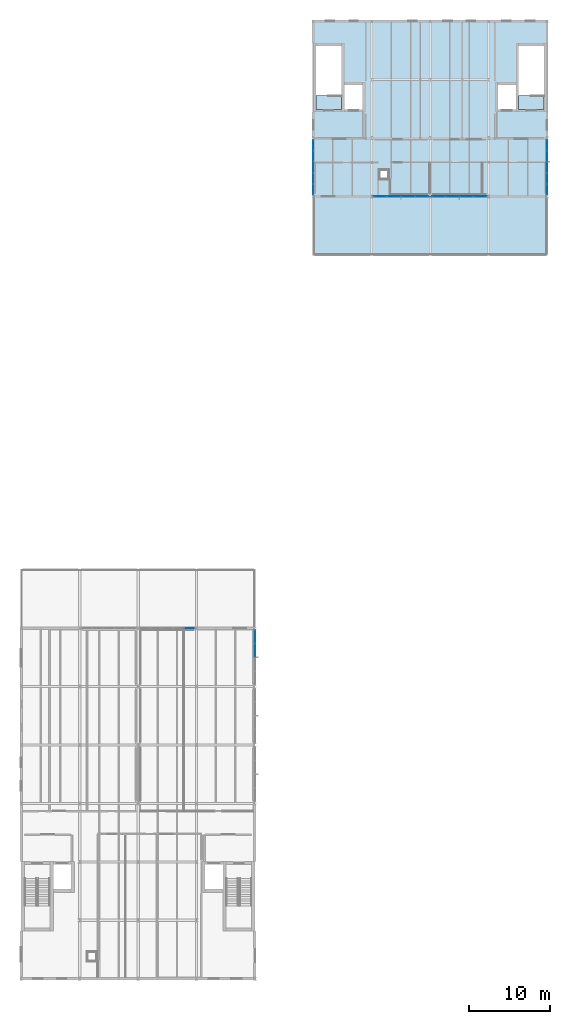
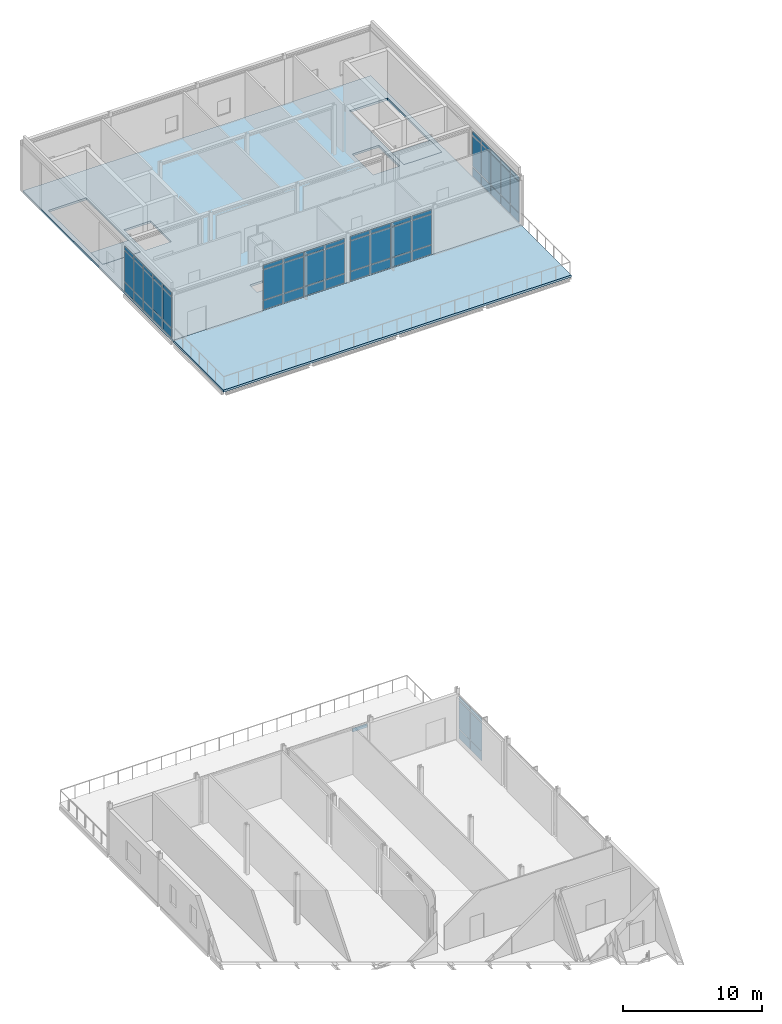
# One storey, part 12 of 21: 61 plates, 4 slabs, 6 elements without a shape of their own.
"""IFC4 building model written with IfcOpenShell, lengths in metres."""

from ifc_helpers import new_model, si_unit, direction, frame, origin, origin_2d, place, context, subcontext, project, spatial, polyline, rectangle, outline, extrude, material, layer, layer_set, type_object, element, aggregate, save


model = new_model("IFC4")

# Units and contexts
model_context = context("Model", 3, precision=1e-05, world=origin(), true_north=direction((0.0, 1.0)))
body_context = subcontext(model_context, "Body", "Model", "MODEL_VIEW")
ifc_project = project(units=[si_unit("LENGTHUNIT", "METRE"), si_unit("AREAUNIT", "SQUARE_METRE"), si_unit("VOLUMEUNIT", "CUBIC_METRE"), si_unit("PLANEANGLEUNIT", "RADIAN"), si_unit("MASSUNIT", "GRAM", prefix="KILO")], contexts=[model_context])

# Site, building, storey
site_placement = place(None, origin())
site = spatial("IfcSite", under=ifc_project, at=site_placement, CompositionType="ELEMENT")
building_placement = place(site_placement, origin())
building = spatial("IfcBuilding", under=site, at=building_placement, Name="Zarrinpeak Specialist Clinic", CompositionType="ELEMENT")
storey_placement = place(building_placement, frame((0.0, 0.0, 22.800048828125)))
storey = spatial("IfcBuildingStorey", under=building, at=storey_placement, Name="L05", CompositionType="ELEMENT", Elevation=22.800048828125)

# Curtain wall, plate
ifc_material_1 = material(Name="Anodised Aluminium Alloy 6063-T6", Category="aluminium")
ifc_layer_1 = layer(ifc_material_1, 0.1650390625)
ifc_layer_set_1 = layer_set([ifc_layer_1], Name="Anodised Aluminium Alloy 6063-T6")
curtain_wall_type_1 = type_object("IfcCurtainWallType", Name="CW-CLINIC", PredefinedType="NOTDEFINED", material=ifc_layer_set_1)
curtain_wall_1_placement = place(storey_placement, origin())
curtain_wall_1 = element("IfcCurtainWall", 1, at=curtain_wall_1_placement, inside=storey, type_object=curtain_wall_type_1, Name="L05 V1 Unitised Curtain Wall CW-L05-V1-032", PredefinedType="NOTDEFINED")
ifc_material_2 = material(Name="Double Low-E Insulated Glazing", Category="glass")
ifc_layer_2 = layer(ifc_material_2, 0.028076171875)
ifc_layer_set_2 = layer_set([ifc_layer_2], Name="Double Low-E Insulated Glazing")
plate_type_1 = type_object("IfcPlateType", Name="CWP-GLZ28", PredefinedType="CURTAIN_PANEL", material=ifc_layer_set_2)
plate_1_placement = place(storey_placement, frame((20.729248046875, 43.199951171875, 3.50244140625), z_axis=(0.0, 0.0, 1.0), x_axis=(-1.0, 0.0, 0.0)))
plate_1 = element("IfcPlate", 2, at=plate_1_placement, type_object=plate_type_1, Name="CW-03 panel 1.3", PredefinedType="CURTAIN_PANEL", context=body_context, shape_type="SweptSolid", body=[
    extrude(rectangle(XDim=1.261474609375, YDim=0.028076171875, at=origin_2d()), origin(), (0.0, 0.0, 1.0), 0.33740234375),
])
aggregate(curtain_wall_1, [plate_1])

# Curtain wall, plates
ifc_layer_3 = layer(ifc_material_1, 0.179931640625)
ifc_layer_set_3 = layer_set([ifc_layer_3], Name="Anodised Aluminium Alloy 6063-T6")
curtain_wall_type_2 = type_object("IfcCurtainWallType", Name="CW-COURT", PredefinedType="NOTDEFINED", material=ifc_layer_set_3)
curtain_wall_2_placement = place(storey_placement, origin())
curtain_wall_2 = element("IfcCurtainWall", 3, at=curtain_wall_2_placement, inside=storey, type_object=curtain_wall_type_2, Name="L05 V1 Unitised Curtain Wall CW-L05-V1-035", PredefinedType="NOTDEFINED")
plate_2_placement = place(storey_placement, frame((28.800048828125, 40.46630859375, 0.074951171875), z_axis=(0.0, 0.0, 1.0), x_axis=(0.0, 1.0, 0.0)))
plate_2 = element("IfcPlate", 4, at=plate_2_placement, type_object=plate_type_1, Name="CW-01 panel 3.1", PredefinedType="CURTAIN_PANEL", context=body_context, shape_type="SweptSolid", body=[
    extrude(rectangle(XDim=1.637451171875, YDim=0.028076171875, at=origin_2d()), origin(), (0.0, 0.0, 1.0), 0.78759765625),
])
plate_3_placement = place(storey_placement, frame((28.800048828125, 40.46630859375, 0.9375), z_axis=(0.0, 0.0, 1.0), x_axis=(0.0, 1.0, 0.0)))
plate_3 = element("IfcPlate", 5, at=plate_3_placement, type_object=plate_type_1, Name="CW-01 panel 3.2", PredefinedType="CURTAIN_PANEL", context=body_context, shape_type="SweptSolid", body=[
    extrude(rectangle(XDim=1.637451171875, YDim=0.028076171875, at=origin_2d()), origin(), (0.0, 0.0, 1.0), 2.43994140625),
])
plate_4_placement = place(storey_placement, frame((28.800048828125, 40.46630859375, 3.452392578125), z_axis=(0.0, 0.0, 1.0), x_axis=(0.0, 1.0, 0.0)))
plate_4 = element("IfcPlate", 6, at=plate_4_placement, type_object=plate_type_1, Name="CW-01 panel 3.3", PredefinedType="CURTAIN_PANEL", context=body_context, shape_type="SweptSolid", body=[
    extrude(rectangle(XDim=1.637451171875, YDim=0.028076171875, at=origin_2d()), origin(), (0.0, 0.0, 1.0), 0.33740234375),
])
plate_5_placement = place(storey_placement, frame((28.800048828125, 42.159912109375, 0.074951171875), z_axis=(0.0, 0.0, 1.0), x_axis=(0.0, 1.0, 0.0)))
plate_5 = element("IfcPlate", 7, at=plate_5_placement, type_object=plate_type_1, Name="CW-01 panel 4.1", PredefinedType="CURTAIN_PANEL", context=body_context, shape_type="SweptSolid", body=[
    extrude(rectangle(XDim=1.60009765625, YDim=0.028076171875, at=origin_2d()), origin(), (0.0, 0.0, 1.0), 0.78759765625),
])
plate_6_placement = place(storey_placement, frame((28.800048828125, 42.159912109375, 0.9375), z_axis=(0.0, 0.0, 1.0), x_axis=(0.0, 1.0, 0.0)))
plate_6 = element("IfcPlate", 8, at=plate_6_placement, type_object=plate_type_1, Name="CW-01 panel 4.2", PredefinedType="CURTAIN_PANEL", context=body_context, shape_type="SweptSolid", body=[
    extrude(rectangle(XDim=1.60009765625, YDim=0.028076171875, at=origin_2d()), origin(), (0.0, 0.0, 1.0), 2.43994140625),
])
plate_7_placement = place(storey_placement, frame((28.800048828125, 42.159912109375, 3.452392578125), z_axis=(0.0, 0.0, 1.0), x_axis=(0.0, 1.0, 0.0)))
plate_7 = element("IfcPlate", 9, at=plate_7_placement, type_object=plate_type_1, Name="CW-01 panel 4.3", PredefinedType="CURTAIN_PANEL", context=body_context, shape_type="SweptSolid", body=[
    extrude(rectangle(XDim=1.60009765625, YDim=0.028076171875, at=origin_2d()), origin(), (0.0, 0.0, 1.0), 0.33740234375),
])
aggregate(curtain_wall_2, [plate_2, plate_3, plate_4, plate_5, plate_6, plate_7])

curtain_wall_3_placement = place(storey_placement, origin())
curtain_wall_3 = element("IfcCurtainWall", 10, at=curtain_wall_3_placement, inside=storey, type_object=curtain_wall_type_2, Name="L05 V6 Unitised Curtain Wall CW-L05-V6-159", PredefinedType="NOTDEFINED")
plate_8_placement = place(storey_placement, frame((44.242431640625, 96.39990234375, 0.074951171875), z_axis=(0.0, 0.0, 1.0), x_axis=(1.0, 0.0, 0.0)))
plate_8 = element("IfcPlate", 11, at=plate_8_placement, type_object=plate_type_1, Name="CW-01 panel 1.1", PredefinedType="CURTAIN_PANEL", context=body_context, shape_type="SweptSolid", body=[
    extrude(rectangle(XDim=1.60498046875, YDim=0.028076171875, at=origin_2d()), origin(), (0.0, 0.0, 1.0), 0.78759765625),
])
plate_9_placement = place(storey_placement, frame((44.242431640625, 96.39990234375, 0.9375), z_axis=(0.0, 0.0, 1.0), x_axis=(1.0, 0.0, 0.0)))
plate_9 = element("IfcPlate", 12, at=plate_9_placement, type_object=plate_type_1, Name="CW-01 panel 1.2", PredefinedType="CURTAIN_PANEL", context=body_context, shape_type="SweptSolid", body=[
    extrude(rectangle(XDim=1.60498046875, YDim=0.028076171875, at=origin_2d()), origin(), (0.0, 0.0, 1.0), 2.610107421875),
])
plate_10_placement = place(storey_placement, frame((44.242431640625, 96.39990234375, 3.62255859375), z_axis=(0.0, 0.0, 1.0), x_axis=(1.0, 0.0, 0.0)))
plate_10 = element("IfcPlate", 13, at=plate_10_placement, type_object=plate_type_1, Name="CW-01 panel 1.3", PredefinedType="CURTAIN_PANEL", context=body_context, shape_type="SweptSolid", body=[
    extrude(rectangle(XDim=1.60498046875, YDim=0.028076171875, at=origin_2d()), origin(), (0.0, 0.0, 1.0), 0.33740234375),
])
plate_11_placement = place(storey_placement, frame((45.941162109375, 96.39990234375, 0.074951171875), z_axis=(0.0, 0.0, 1.0), x_axis=(1.0, 0.0, 0.0)))
plate_11 = element("IfcPlate", 14, at=plate_11_placement, type_object=plate_type_1, Name="CW-01 panel 2.1", PredefinedType="CURTAIN_PANEL", context=body_context, shape_type="SweptSolid", body=[
    extrude(rectangle(XDim=1.642578125, YDim=0.028076171875, at=origin_2d()), origin(), (0.0, 0.0, 1.0), 0.78759765625),
])
plate_12_placement = place(storey_placement, frame((45.941162109375, 96.39990234375, 0.9375), z_axis=(0.0, 0.0, 1.0), x_axis=(1.0, 0.0, 0.0)))
plate_12 = element("IfcPlate", 15, at=plate_12_placement, type_object=plate_type_1, Name="CW-01 panel 2.2", PredefinedType="CURTAIN_PANEL", context=body_context, shape_type="SweptSolid", body=[
    extrude(rectangle(XDim=1.642578125, YDim=0.028076171875, at=origin_2d()), origin(), (0.0, 0.0, 1.0), 2.610107421875),
])
plate_13_placement = place(storey_placement, frame((45.941162109375, 96.39990234375, 3.62255859375), z_axis=(0.0, 0.0, 1.0), x_axis=(1.0, 0.0, 0.0)))
plate_13 = element("IfcPlate", 16, at=plate_13_placement, type_object=plate_type_1, Name="CW-01 panel 2.3", PredefinedType="CURTAIN_PANEL", context=body_context, shape_type="SweptSolid", body=[
    extrude(rectangle(XDim=1.642578125, YDim=0.028076171875, at=origin_2d()), origin(), (0.0, 0.0, 1.0), 0.33740234375),
])
plate_14_placement = place(storey_placement, frame((47.65869140625, 96.39990234375, 0.074951171875), z_axis=(0.0, 0.0, 1.0), x_axis=(1.0, 0.0, 0.0)))
plate_14 = element("IfcPlate", 17, at=plate_14_placement, type_object=plate_type_1, Name="CW-01 panel 3.1", PredefinedType="CURTAIN_PANEL", context=body_context, shape_type="SweptSolid", body=[
    extrude(rectangle(XDim=1.642578125, YDim=0.028076171875, at=origin_2d()), origin(), (0.0, 0.0, 1.0), 0.78759765625),
])
plate_15_placement = place(storey_placement, frame((47.65869140625, 96.39990234375, 0.9375), z_axis=(0.0, 0.0, 1.0), x_axis=(1.0, 0.0, 0.0)))
plate_15 = element("IfcPlate", 18, at=plate_15_placement, type_object=plate_type_1, Name="CW-01 panel 3.2", PredefinedType="CURTAIN_PANEL", context=body_context, shape_type="SweptSolid", body=[
    extrude(rectangle(XDim=1.642578125, YDim=0.028076171875, at=origin_2d()), origin(), (0.0, 0.0, 1.0), 2.610107421875),
])
plate_16_placement = place(storey_placement, frame((47.65869140625, 96.39990234375, 3.62255859375), z_axis=(0.0, 0.0, 1.0), x_axis=(1.0, 0.0, 0.0)))
plate_16 = element("IfcPlate", 19, at=plate_16_placement, type_object=plate_type_1, Name="CW-01 panel 3.3", PredefinedType="CURTAIN_PANEL", context=body_context, shape_type="SweptSolid", body=[
    extrude(rectangle(XDim=1.642578125, YDim=0.028076171875, at=origin_2d()), origin(), (0.0, 0.0, 1.0), 0.33740234375),
])
plate_17_placement = place(storey_placement, frame((49.357421875, 96.39990234375, 0.074951171875), z_axis=(0.0, 0.0, 1.0), x_axis=(1.0, 0.0, 0.0)))
plate_17 = element("IfcPlate", 20, at=plate_17_placement, type_object=plate_type_1, Name="CW-01 panel 4.1", PredefinedType="CURTAIN_PANEL", context=body_context, shape_type="SweptSolid", body=[
    extrude(rectangle(XDim=1.60498046875, YDim=0.028076171875, at=origin_2d()), origin(), (0.0, 0.0, 1.0), 0.78759765625),
])
plate_18_placement = place(storey_placement, frame((49.357421875, 96.39990234375, 0.9375), z_axis=(0.0, 0.0, 1.0), x_axis=(1.0, 0.0, 0.0)))
plate_18 = element("IfcPlate", 21, at=plate_18_placement, type_object=plate_type_1, Name="CW-01 panel 4.2", PredefinedType="CURTAIN_PANEL", context=body_context, shape_type="SweptSolid", body=[
    extrude(rectangle(XDim=1.60498046875, YDim=0.028076171875, at=origin_2d()), origin(), (0.0, 0.0, 1.0), 2.610107421875),
])
plate_19_placement = place(storey_placement, frame((49.357421875, 96.39990234375, 3.62255859375), z_axis=(0.0, 0.0, 1.0), x_axis=(1.0, 0.0, 0.0)))
plate_19 = element("IfcPlate", 22, at=plate_19_placement, type_object=plate_type_1, Name="CW-01 panel 4.3", PredefinedType="CURTAIN_PANEL", context=body_context, shape_type="SweptSolid", body=[
    extrude(rectangle(XDim=1.60498046875, YDim=0.028076171875, at=origin_2d()), origin(), (0.0, 0.0, 1.0), 0.33740234375),
])
aggregate(curtain_wall_3, [plate_8, plate_9, plate_10, plate_11, plate_12, plate_13, plate_14, plate_15, plate_16, plate_17, plate_18, plate_19])

curtain_wall_4_placement = place(storey_placement, origin())
curtain_wall_4 = element("IfcCurtainWall", 23, at=curtain_wall_4_placement, inside=storey, type_object=curtain_wall_type_2, Name="L05 V6 Unitised Curtain Wall CW-L05-V6-160", PredefinedType="NOTDEFINED")
plate_20_placement = place(storey_placement, frame((51.4423828125, 96.39990234375, 0.074951171875), z_axis=(0.0, 0.0, 1.0), x_axis=(1.0, 0.0, 0.0)))
plate_20 = element("IfcPlate", 24, at=plate_20_placement, type_object=plate_type_1, Name="CW-01 panel 1.1", PredefinedType="CURTAIN_PANEL", context=body_context, shape_type="SweptSolid", body=[
    extrude(rectangle(XDim=1.60498046875, YDim=0.028076171875, at=origin_2d()), origin(), (0.0, 0.0, 1.0), 0.78759765625),
])
plate_21_placement = place(storey_placement, frame((51.4423828125, 96.39990234375, 0.9375), z_axis=(0.0, 0.0, 1.0), x_axis=(1.0, 0.0, 0.0)))
plate_21 = element("IfcPlate", 25, at=plate_21_placement, type_object=plate_type_1, Name="CW-01 panel 1.2", PredefinedType="CURTAIN_PANEL", context=body_context, shape_type="SweptSolid", body=[
    extrude(rectangle(XDim=1.60498046875, YDim=0.028076171875, at=origin_2d()), origin(), (0.0, 0.0, 1.0), 2.610107421875),
])
plate_22_placement = place(storey_placement, frame((51.4423828125, 96.39990234375, 3.62255859375), z_axis=(0.0, 0.0, 1.0), x_axis=(1.0, 0.0, 0.0)))
plate_22 = element("IfcPlate", 26, at=plate_22_placement, type_object=plate_type_1, Name="CW-01 panel 1.3", PredefinedType="CURTAIN_PANEL", context=body_context, shape_type="SweptSolid", body=[
    extrude(rectangle(XDim=1.60498046875, YDim=0.028076171875, at=origin_2d()), origin(), (0.0, 0.0, 1.0), 0.33740234375),
])
plate_23_placement = place(storey_placement, frame((53.141357421875, 96.39990234375, 0.074951171875), z_axis=(0.0, 0.0, 1.0), x_axis=(1.0, 0.0, 0.0)))
plate_23 = element("IfcPlate", 27, at=plate_23_placement, type_object=plate_type_1, Name="CW-01 panel 2.1", PredefinedType="CURTAIN_PANEL", context=body_context, shape_type="SweptSolid", body=[
    extrude(rectangle(XDim=1.642578125, YDim=0.028076171875, at=origin_2d()), origin(), (0.0, 0.0, 1.0), 0.78759765625),
])
plate_24_placement = place(storey_placement, frame((53.141357421875, 96.39990234375, 0.9375), z_axis=(0.0, 0.0, 1.0), x_axis=(1.0, 0.0, 0.0)))
plate_24 = element("IfcPlate", 28, at=plate_24_placement, type_object=plate_type_1, Name="CW-01 panel 2.2", PredefinedType="CURTAIN_PANEL", context=body_context, shape_type="SweptSolid", body=[
    extrude(rectangle(XDim=1.642578125, YDim=0.028076171875, at=origin_2d()), origin(), (0.0, 0.0, 1.0), 2.610107421875),
])
plate_25_placement = place(storey_placement, frame((53.141357421875, 96.39990234375, 3.62255859375), z_axis=(0.0, 0.0, 1.0), x_axis=(1.0, 0.0, 0.0)))
plate_25 = element("IfcPlate", 29, at=plate_25_placement, type_object=plate_type_1, Name="CW-01 panel 2.3", PredefinedType="CURTAIN_PANEL", context=body_context, shape_type="SweptSolid", body=[
    extrude(rectangle(XDim=1.642578125, YDim=0.028076171875, at=origin_2d()), origin(), (0.0, 0.0, 1.0), 0.33740234375),
])
plate_26_placement = place(storey_placement, frame((54.858642578125, 96.39990234375, 0.074951171875), z_axis=(0.0, 0.0, 1.0), x_axis=(1.0, 0.0, 0.0)))
plate_26 = element("IfcPlate", 30, at=plate_26_placement, type_object=plate_type_1, Name="CW-01 panel 3.1", PredefinedType="CURTAIN_PANEL", context=body_context, shape_type="SweptSolid", body=[
    extrude(rectangle(XDim=1.642578125, YDim=0.028076171875, at=origin_2d()), origin(), (0.0, 0.0, 1.0), 0.78759765625),
])
plate_27_placement = place(storey_placement, frame((54.858642578125, 96.39990234375, 0.9375), z_axis=(0.0, 0.0, 1.0), x_axis=(1.0, 0.0, 0.0)))
plate_27 = element("IfcPlate", 31, at=plate_27_placement, type_object=plate_type_1, Name="CW-01 panel 3.2", PredefinedType="CURTAIN_PANEL", context=body_context, shape_type="SweptSolid", body=[
    extrude(rectangle(XDim=1.642578125, YDim=0.028076171875, at=origin_2d()), origin(), (0.0, 0.0, 1.0), 2.610107421875),
])
plate_28_placement = place(storey_placement, frame((54.858642578125, 96.39990234375, 3.62255859375), z_axis=(0.0, 0.0, 1.0), x_axis=(1.0, 0.0, 0.0)))
plate_28 = element("IfcPlate", 32, at=plate_28_placement, type_object=plate_type_1, Name="CW-01 panel 3.3", PredefinedType="CURTAIN_PANEL", context=body_context, shape_type="SweptSolid", body=[
    extrude(rectangle(XDim=1.642578125, YDim=0.028076171875, at=origin_2d()), origin(), (0.0, 0.0, 1.0), 0.33740234375),
])
plate_29_placement = place(storey_placement, frame((56.5576171875, 96.39990234375, 0.074951171875), z_axis=(0.0, 0.0, 1.0), x_axis=(1.0, 0.0, 0.0)))
plate_29 = element("IfcPlate", 33, at=plate_29_placement, type_object=plate_type_1, Name="CW-01 panel 4.1", PredefinedType="CURTAIN_PANEL", context=body_context, shape_type="SweptSolid", body=[
    extrude(rectangle(XDim=1.60498046875, YDim=0.028076171875, at=origin_2d()), origin(), (0.0, 0.0, 1.0), 0.78759765625),
])
plate_30_placement = place(storey_placement, frame((56.5576171875, 96.39990234375, 0.9375), z_axis=(0.0, 0.0, 1.0), x_axis=(1.0, 0.0, 0.0)))
plate_30 = element("IfcPlate", 34, at=plate_30_placement, type_object=plate_type_1, Name="CW-01 panel 4.2", PredefinedType="CURTAIN_PANEL", context=body_context, shape_type="SweptSolid", body=[
    extrude(rectangle(XDim=1.60498046875, YDim=0.028076171875, at=origin_2d()), origin(), (0.0, 0.0, 1.0), 2.610107421875),
])
plate_31_placement = place(storey_placement, frame((56.5576171875, 96.39990234375, 3.62255859375), z_axis=(0.0, 0.0, 1.0), x_axis=(1.0, 0.0, 0.0)))
plate_31 = element("IfcPlate", 35, at=plate_31_placement, type_object=plate_type_1, Name="CW-01 panel 4.3", PredefinedType="CURTAIN_PANEL", context=body_context, shape_type="SweptSolid", body=[
    extrude(rectangle(XDim=1.60498046875, YDim=0.028076171875, at=origin_2d()), origin(), (0.0, 0.0, 1.0), 0.33740234375),
])
aggregate(curtain_wall_4, [plate_20, plate_21, plate_22, plate_23, plate_24, plate_25, plate_26, plate_27, plate_28, plate_29, plate_30, plate_31])

curtain_wall_5_placement = place(storey_placement, origin())
curtain_wall_5 = element("IfcCurtainWall", 36, at=curtain_wall_5_placement, inside=storey, type_object=curtain_wall_type_1, Name="L05 V6 Unitised Curtain Wall CW-L05-V6-161", PredefinedType="NOTDEFINED")
plate_32_placement = place(storey_placement, frame((36.0, 102.729248046875, 0.074951171875), z_axis=(0.0, 0.0, 1.0), x_axis=(0.0, -1.0, 0.0)))
plate_32 = element("IfcPlate", 37, at=plate_32_placement, type_object=plate_type_1, Name="CW-03 panel 1.1", PredefinedType="CURTAIN_PANEL", context=body_context, shape_type="SweptSolid", body=[
    extrude(rectangle(XDim=1.261474609375, YDim=0.028076171875, at=origin_2d()), origin(), (0.0, 0.0, 1.0), 0.78759765625),
])
plate_33_placement = place(storey_placement, frame((36.0, 102.729248046875, 0.9375), z_axis=(0.0, 0.0, 1.0), x_axis=(0.0, -1.0, 0.0)))
plate_33 = element("IfcPlate", 38, at=plate_33_placement, type_object=plate_type_1, Name="CW-03 panel 1.2", PredefinedType="CURTAIN_PANEL", context=body_context, shape_type="SweptSolid", body=[
    extrude(rectangle(XDim=1.261474609375, YDim=0.028076171875, at=origin_2d()), origin(), (0.0, 0.0, 1.0), 2.68505859375),
])
plate_34_placement = place(storey_placement, frame((36.0, 102.729248046875, 3.697509765625), z_axis=(0.0, 0.0, 1.0), x_axis=(0.0, -1.0, 0.0)))
plate_34 = element("IfcPlate", 39, at=plate_34_placement, type_object=plate_type_1, Name="CW-03 panel 1.3", PredefinedType="CURTAIN_PANEL", context=body_context, shape_type="SweptSolid", body=[
    extrude(rectangle(XDim=1.261474609375, YDim=0.028076171875, at=origin_2d()), origin(), (0.0, 0.0, 1.0), 0.33740234375),
])
plate_35_placement = place(storey_placement, frame((36.0, 101.3740234375, 0.074951171875), z_axis=(0.0, 0.0, 1.0), x_axis=(0.0, -1.0, 0.0)))
plate_35 = element("IfcPlate", 40, at=plate_35_placement, type_object=plate_type_1, Name="CW-03 panel 2.1", PredefinedType="CURTAIN_PANEL", context=body_context, shape_type="SweptSolid", body=[
    extrude(rectangle(XDim=1.299072265625, YDim=0.028076171875, at=origin_2d()), origin(), (0.0, 0.0, 1.0), 0.78759765625),
])
plate_36_placement = place(storey_placement, frame((36.0, 101.3740234375, 0.9375), z_axis=(0.0, 0.0, 1.0), x_axis=(0.0, -1.0, 0.0)))
plate_36 = element("IfcPlate", 41, at=plate_36_placement, type_object=plate_type_1, Name="CW-03 panel 2.2", PredefinedType="CURTAIN_PANEL", context=body_context, shape_type="SweptSolid", body=[
    extrude(rectangle(XDim=1.299072265625, YDim=0.028076171875, at=origin_2d()), origin(), (0.0, 0.0, 1.0), 2.68505859375),
])
plate_37_placement = place(storey_placement, frame((36.0, 101.3740234375, 3.697509765625), z_axis=(0.0, 0.0, 1.0), x_axis=(0.0, -1.0, 0.0)))
plate_37 = element("IfcPlate", 42, at=plate_37_placement, type_object=plate_type_1, Name="CW-03 panel 2.3", PredefinedType="CURTAIN_PANEL", context=body_context, shape_type="SweptSolid", body=[
    extrude(rectangle(XDim=1.299072265625, YDim=0.028076171875, at=origin_2d()), origin(), (0.0, 0.0, 1.0), 0.33740234375),
])
plate_38_placement = place(storey_placement, frame((36.0, 100.0, 0.074951171875), z_axis=(0.0, 0.0, 1.0), x_axis=(0.0, -1.0, 0.0)))
plate_38 = element("IfcPlate", 43, at=plate_38_placement, type_object=plate_type_1, Name="CW-03 panel 3.1", PredefinedType="CURTAIN_PANEL", context=body_context, shape_type="SweptSolid", body=[
    extrude(rectangle(XDim=1.299072265625, YDim=0.028076171875, at=origin_2d()), origin(), (0.0, 0.0, 1.0), 0.78759765625),
])
plate_39_placement = place(storey_placement, frame((36.0, 100.0, 0.9375), z_axis=(0.0, 0.0, 1.0), x_axis=(0.0, -1.0, 0.0)))
plate_39 = element("IfcPlate", 44, at=plate_39_placement, type_object=plate_type_1, Name="CW-03 panel 3.2", PredefinedType="CURTAIN_PANEL", context=body_context, shape_type="SweptSolid", body=[
    extrude(rectangle(XDim=1.299072265625, YDim=0.028076171875, at=origin_2d()), origin(), (0.0, 0.0, 1.0), 2.68505859375),
])
plate_40_placement = place(storey_placement, frame((36.0, 100.0, 3.697509765625), z_axis=(0.0, 0.0, 1.0), x_axis=(0.0, -1.0, 0.0)))
plate_40 = element("IfcPlate", 45, at=plate_40_placement, type_object=plate_type_1, Name="CW-03 panel 3.3", PredefinedType="CURTAIN_PANEL", context=body_context, shape_type="SweptSolid", body=[
    extrude(rectangle(XDim=1.299072265625, YDim=0.028076171875, at=origin_2d()), origin(), (0.0, 0.0, 1.0), 0.33740234375),
])
plate_41_placement = place(storey_placement, frame((36.0, 98.6259765625, 0.074951171875), z_axis=(0.0, 0.0, 1.0), x_axis=(0.0, -1.0, 0.0)))
plate_41 = element("IfcPlate", 46, at=plate_41_placement, type_object=plate_type_1, Name="CW-03 panel 4.1", PredefinedType="CURTAIN_PANEL", context=body_context, shape_type="SweptSolid", body=[
    extrude(rectangle(XDim=1.299072265625, YDim=0.028076171875, at=origin_2d()), origin(), (0.0, 0.0, 1.0), 0.78759765625),
])
plate_42_placement = place(storey_placement, frame((36.0, 98.6259765625, 0.9375), z_axis=(0.0, 0.0, 1.0), x_axis=(0.0, -1.0, 0.0)))
plate_42 = element("IfcPlate", 47, at=plate_42_placement, type_object=plate_type_1, Name="CW-03 panel 4.2", PredefinedType="CURTAIN_PANEL", context=body_context, shape_type="SweptSolid", body=[
    extrude(rectangle(XDim=1.299072265625, YDim=0.028076171875, at=origin_2d()), origin(), (0.0, 0.0, 1.0), 2.68505859375),
])
plate_43_placement = place(storey_placement, frame((36.0, 98.6259765625, 3.697509765625), z_axis=(0.0, 0.0, 1.0), x_axis=(0.0, -1.0, 0.0)))
plate_43 = element("IfcPlate", 48, at=plate_43_placement, type_object=plate_type_1, Name="CW-03 panel 4.3", PredefinedType="CURTAIN_PANEL", context=body_context, shape_type="SweptSolid", body=[
    extrude(rectangle(XDim=1.299072265625, YDim=0.028076171875, at=origin_2d()), origin(), (0.0, 0.0, 1.0), 0.33740234375),
])
plate_44_placement = place(storey_placement, frame((36.0, 97.270751953125, 0.074951171875), z_axis=(0.0, 0.0, 1.0), x_axis=(0.0, -1.0, 0.0)))
plate_44 = element("IfcPlate", 49, at=plate_44_placement, type_object=plate_type_1, Name="CW-03 panel 5.1", PredefinedType="CURTAIN_PANEL", context=body_context, shape_type="SweptSolid", body=[
    extrude(rectangle(XDim=1.261474609375, YDim=0.028076171875, at=origin_2d()), origin(), (0.0, 0.0, 1.0), 0.78759765625),
])
plate_45_placement = place(storey_placement, frame((36.0, 97.270751953125, 0.9375), z_axis=(0.0, 0.0, 1.0), x_axis=(0.0, -1.0, 0.0)))
plate_45 = element("IfcPlate", 50, at=plate_45_placement, type_object=plate_type_1, Name="CW-03 panel 5.2", PredefinedType="CURTAIN_PANEL", context=body_context, shape_type="SweptSolid", body=[
    extrude(rectangle(XDim=1.261474609375, YDim=0.028076171875, at=origin_2d()), origin(), (0.0, 0.0, 1.0), 2.68505859375),
])
plate_46_placement = place(storey_placement, frame((36.0, 97.270751953125, 3.697509765625), z_axis=(0.0, 0.0, 1.0), x_axis=(0.0, -1.0, 0.0)))
plate_46 = element("IfcPlate", 51, at=plate_46_placement, type_object=plate_type_1, Name="CW-03 panel 5.3", PredefinedType="CURTAIN_PANEL", context=body_context, shape_type="SweptSolid", body=[
    extrude(rectangle(XDim=1.261474609375, YDim=0.028076171875, at=origin_2d()), origin(), (0.0, 0.0, 1.0), 0.33740234375),
])
aggregate(curtain_wall_5, [plate_32, plate_33, plate_34, plate_35, plate_36, plate_37, plate_38, plate_39, plate_40, plate_41, plate_42, plate_43, plate_44, plate_45, plate_46])

curtain_wall_6_placement = place(storey_placement, origin())
curtain_wall_6 = element("IfcCurtainWall", 52, at=curtain_wall_6_placement, inside=storey, type_object=curtain_wall_type_1, Name="L05 V6 Unitised Curtain Wall CW-L05-V6-162", PredefinedType="NOTDEFINED")
ifc_material_3 = material(Name="Insulated Aluminium Spandrel Panel", Category="aluminium")
ifc_layer_4 = layer(ifc_material_3, 0.044921875)
ifc_layer_set_4 = layer_set([ifc_layer_4], Name="Insulated Aluminium Spandrel Panel")
plate_type_2 = type_object("IfcPlateType", Name="CWP-SPN45", PredefinedType="CURTAIN_PANEL", material=ifc_layer_set_4)
plate_47_placement = place(storey_placement, frame((64.800048828125, 97.270751953125, 0.074951171875), z_axis=(0.0, 0.0, 1.0), x_axis=(0.0, 1.0, 0.0)))
plate_47 = element("IfcPlate", 53, at=plate_47_placement, type_object=plate_type_2, Name="CW-03 panel 1.1", PredefinedType="CURTAIN_PANEL", context=body_context, shape_type="SweptSolid", body=[
    extrude(rectangle(XDim=1.261474609375, YDim=0.044921875, at=origin_2d()), origin(), (0.0, 0.0, 1.0), 0.78759765625),
])
plate_48_placement = place(storey_placement, frame((64.800048828125, 97.270751953125, 0.9375), z_axis=(0.0, 0.0, 1.0), x_axis=(0.0, 1.0, 0.0)))
plate_48 = element("IfcPlate", 54, at=plate_48_placement, type_object=plate_type_2, Name="CW-03 panel 1.2", PredefinedType="CURTAIN_PANEL", context=body_context, shape_type="SweptSolid", body=[
    extrude(rectangle(XDim=1.261474609375, YDim=0.044921875, at=origin_2d()), origin(), (0.0, 0.0, 1.0), 2.68505859375),
])
plate_49_placement = place(storey_placement, frame((64.800048828125, 97.270751953125, 3.697509765625), z_axis=(0.0, 0.0, 1.0), x_axis=(0.0, 1.0, 0.0)))
plate_49 = element("IfcPlate", 55, at=plate_49_placement, type_object=plate_type_2, Name="CW-03 panel 1.3", PredefinedType="CURTAIN_PANEL", context=body_context, shape_type="SweptSolid", body=[
    extrude(rectangle(XDim=1.261474609375, YDim=0.044921875, at=origin_2d()), origin(), (0.0, 0.0, 1.0), 0.33740234375),
])
plate_50_placement = place(storey_placement, frame((64.800048828125, 98.6259765625, 0.074951171875), z_axis=(0.0, 0.0, 1.0), x_axis=(0.0, 1.0, 0.0)))
plate_50 = element("IfcPlate", 56, at=plate_50_placement, type_object=plate_type_2, Name="CW-03 panel 2.1", PredefinedType="CURTAIN_PANEL", context=body_context, shape_type="SweptSolid", body=[
    extrude(rectangle(XDim=1.299072265625, YDim=0.044921875, at=origin_2d()), origin(), (0.0, 0.0, 1.0), 0.78759765625),
])
plate_51_placement = place(storey_placement, frame((64.800048828125, 98.6259765625, 0.9375), z_axis=(0.0, 0.0, 1.0), x_axis=(0.0, 1.0, 0.0)))
plate_51 = element("IfcPlate", 57, at=plate_51_placement, type_object=plate_type_2, Name="CW-03 panel 2.2", PredefinedType="CURTAIN_PANEL", context=body_context, shape_type="SweptSolid", body=[
    extrude(rectangle(XDim=1.299072265625, YDim=0.044921875, at=origin_2d()), origin(), (0.0, 0.0, 1.0), 2.68505859375),
])
plate_52_placement = place(storey_placement, frame((64.800048828125, 98.6259765625, 3.697509765625), z_axis=(0.0, 0.0, 1.0), x_axis=(0.0, 1.0, 0.0)))
plate_52 = element("IfcPlate", 58, at=plate_52_placement, type_object=plate_type_2, Name="CW-03 panel 2.3", PredefinedType="CURTAIN_PANEL", context=body_context, shape_type="SweptSolid", body=[
    extrude(rectangle(XDim=1.299072265625, YDim=0.044921875, at=origin_2d()), origin(), (0.0, 0.0, 1.0), 0.33740234375),
])
plate_53_placement = place(storey_placement, frame((64.800048828125, 100.0, 0.074951171875), z_axis=(0.0, 0.0, 1.0), x_axis=(0.0, 1.0, 0.0)))
plate_53 = element("IfcPlate", 59, at=plate_53_placement, type_object=plate_type_2, Name="CW-03 panel 3.1", PredefinedType="CURTAIN_PANEL", context=body_context, shape_type="SweptSolid", body=[
    extrude(rectangle(XDim=1.299072265625, YDim=0.044921875, at=origin_2d()), origin(), (0.0, 0.0, 1.0), 0.78759765625),
])
plate_54_placement = place(storey_placement, frame((64.800048828125, 100.0, 0.9375), z_axis=(0.0, 0.0, 1.0), x_axis=(0.0, 1.0, 0.0)))
plate_54 = element("IfcPlate", 60, at=plate_54_placement, type_object=plate_type_2, Name="CW-03 panel 3.2", PredefinedType="CURTAIN_PANEL", context=body_context, shape_type="SweptSolid", body=[
    extrude(rectangle(XDim=1.299072265625, YDim=0.044921875, at=origin_2d()), origin(), (0.0, 0.0, 1.0), 2.68505859375),
])
plate_55_placement = place(storey_placement, frame((64.800048828125, 100.0, 3.697509765625), z_axis=(0.0, 0.0, 1.0), x_axis=(0.0, 1.0, 0.0)))
plate_55 = element("IfcPlate", 61, at=plate_55_placement, type_object=plate_type_2, Name="CW-03 panel 3.3", PredefinedType="CURTAIN_PANEL", context=body_context, shape_type="SweptSolid", body=[
    extrude(rectangle(XDim=1.299072265625, YDim=0.044921875, at=origin_2d()), origin(), (0.0, 0.0, 1.0), 0.33740234375),
])
plate_56_placement = place(storey_placement, frame((64.800048828125, 101.3740234375, 0.074951171875), z_axis=(0.0, 0.0, 1.0), x_axis=(0.0, 1.0, 0.0)))
plate_56 = element("IfcPlate", 62, at=plate_56_placement, type_object=plate_type_2, Name="CW-03 panel 4.1", PredefinedType="CURTAIN_PANEL", context=body_context, shape_type="SweptSolid", body=[
    extrude(rectangle(XDim=1.299072265625, YDim=0.044921875, at=origin_2d()), origin(), (0.0, 0.0, 1.0), 0.78759765625),
])
plate_57_placement = place(storey_placement, frame((64.800048828125, 101.3740234375, 0.9375), z_axis=(0.0, 0.0, 1.0), x_axis=(0.0, 1.0, 0.0)))
plate_57 = element("IfcPlate", 63, at=plate_57_placement, type_object=plate_type_2, Name="CW-03 panel 4.2", PredefinedType="CURTAIN_PANEL", context=body_context, shape_type="SweptSolid", body=[
    extrude(rectangle(XDim=1.299072265625, YDim=0.044921875, at=origin_2d()), origin(), (0.0, 0.0, 1.0), 2.68505859375),
])
plate_58_placement = place(storey_placement, frame((64.800048828125, 101.3740234375, 3.697509765625), z_axis=(0.0, 0.0, 1.0), x_axis=(0.0, 1.0, 0.0)))
plate_58 = element("IfcPlate", 64, at=plate_58_placement, type_object=plate_type_2, Name="CW-03 panel 4.3", PredefinedType="CURTAIN_PANEL", context=body_context, shape_type="SweptSolid", body=[
    extrude(rectangle(XDim=1.299072265625, YDim=0.044921875, at=origin_2d()), origin(), (0.0, 0.0, 1.0), 0.33740234375),
])
plate_59_placement = place(storey_placement, frame((64.800048828125, 102.729248046875, 0.074951171875), z_axis=(0.0, 0.0, 1.0), x_axis=(0.0, 1.0, 0.0)))
plate_59 = element("IfcPlate", 65, at=plate_59_placement, type_object=plate_type_2, Name="CW-03 panel 5.1", PredefinedType="CURTAIN_PANEL", context=body_context, shape_type="SweptSolid", body=[
    extrude(rectangle(XDim=1.261474609375, YDim=0.044921875, at=origin_2d()), origin(), (0.0, 0.0, 1.0), 0.78759765625),
])
plate_60_placement = place(storey_placement, frame((64.800048828125, 102.729248046875, 0.9375), z_axis=(0.0, 0.0, 1.0), x_axis=(0.0, 1.0, 0.0)))
plate_60 = element("IfcPlate", 66, at=plate_60_placement, type_object=plate_type_2, Name="CW-03 panel 5.2", PredefinedType="CURTAIN_PANEL", context=body_context, shape_type="SweptSolid", body=[
    extrude(rectangle(XDim=1.261474609375, YDim=0.044921875, at=origin_2d()), origin(), (0.0, 0.0, 1.0), 2.68505859375),
])
plate_61_placement = place(storey_placement, frame((64.800048828125, 102.729248046875, 3.697509765625), z_axis=(0.0, 0.0, 1.0), x_axis=(0.0, 1.0, 0.0)))
plate_61 = element("IfcPlate", 67, at=plate_61_placement, type_object=plate_type_2, Name="CW-03 panel 5.3", PredefinedType="CURTAIN_PANEL", context=body_context, shape_type="SweptSolid", body=[
    extrude(rectangle(XDim=1.261474609375, YDim=0.044921875, at=origin_2d()), origin(), (0.0, 0.0, 1.0), 0.33740234375),
])
aggregate(curtain_wall_6, [plate_47, plate_48, plate_49, plate_50, plate_51, plate_52, plate_53, plate_54, plate_55, plate_56, plate_57, plate_58, plate_59, plate_60, plate_61])

# Slabs
ifc_material_4 = material(Name="Concrete C35/45", Category="concrete")
ifc_layer_5 = layer(ifc_material_4, 0.18505859375)
ifc_layer_set_5 = layer_set([ifc_layer_5], Name="Concrete C35/45")
slab_type_1 = type_object("IfcSlabType", Name="SL-FLR185", PredefinedType="FLOOR", material=ifc_layer_set_5)
slab_1_placement = place(storey_placement, frame((0.0, 0.0, -0.18505859375)))
element("IfcSlab", 68, at=slab_1_placement, inside=storey, type_object=slab_type_1, Name="L05 Suspended Clinical Floor Slab V6", PredefinedType="FLOOR", context=body_context, shape_type="SweptSolid", body=[
    extrude(outline(polyline([(36.0, 96.39990234375), (64.800048828125, 96.39990234375), (64.800048828125, 118.0), (36.0, 118.0), (36.0, 96.39990234375)]), holes=[polyline([(36.35009765625, 107.14990234375), (39.5, 107.14990234375), (39.5, 114.949951171875), (36.35009765625, 114.949951171875), (36.35009765625, 107.14990234375)]), polyline([(39.85009765625, 107.14990234375), (42.050048828125, 107.14990234375), (42.050048828125, 110.14990234375), (39.85009765625, 110.14990234375), (39.85009765625, 107.14990234375)]), polyline([(61.300048828125, 107.14990234375), (64.449951171875, 107.14990234375), (64.449951171875, 114.949951171875), (61.300048828125, 114.949951171875), (61.300048828125, 107.14990234375)]), polyline([(58.75, 107.14990234375), (60.949951171875, 107.14990234375), (60.949951171875, 110.14990234375), (58.75, 110.14990234375), (58.75, 107.14990234375)]), polyline([(44.199951171875, 98.60009765625), (45.25, 98.60009765625), (45.25, 99.64990234375), (44.199951171875, 99.64990234375), (44.199951171875, 98.60009765625)])]), origin(), (0.0, 0.0, 1.0), 0.18505859375),
])
slab_2_placement = place(storey_placement, frame((0.0, 0.0, -0.18505859375)))
element("IfcSlab", 69, at=slab_2_placement, inside=storey, type_object=slab_type_1, Name="L05 Core C11 Stairwell Floor Landing Slab", PredefinedType="FLOOR", context=body_context, shape_type="SweptSolid", body=[
    extrude(outline(polyline([(36.35009765625, 107.14990234375), (39.5, 107.14990234375), (39.5, 108.85009765625), (36.35009765625, 108.85009765625), (36.35009765625, 107.14990234375)])), origin(), (0.0, 0.0, 1.0), 0.18505859375),
])
slab_3_placement = place(storey_placement, frame((0.0, 0.0, -0.18505859375)))
element("IfcSlab", 70, at=slab_3_placement, inside=storey, type_object=slab_type_1, Name="L05 Core C12 Stairwell Floor Landing Slab", PredefinedType="FLOOR", context=body_context, shape_type="SweptSolid", body=[
    extrude(outline(polyline([(61.300048828125, 107.14990234375), (64.449951171875, 107.14990234375), (64.449951171875, 108.85009765625), (61.300048828125, 108.85009765625), (61.300048828125, 107.14990234375)])), origin(), (0.0, 0.0, 1.0), 0.18505859375),
])
ifc_layer_6 = layer(ifc_material_4, 0.195068359375)
ifc_layer_set_6 = layer_set([ifc_layer_6], Name="Concrete C35/45")
slab_type_2 = type_object("IfcSlabType", Name="SL-TER195", PredefinedType="FLOOR", material=ifc_layer_set_6)
slab_4_placement = place(storey_placement, frame((0.0, 0.0, -0.195068359375)))
element("IfcSlab", 71, at=slab_4_placement, inside=storey, type_object=slab_type_2, Name="L05 Healing Roof Terrace Slab V6", PredefinedType="FLOOR", context=body_context, shape_type="SweptSolid", body=[
    extrude(outline(polyline([(36.0, 89.199951171875), (64.800048828125, 89.199951171875), (64.800048828125, 96.39990234375), (36.0, 96.39990234375), (36.0, 89.199951171875)])), origin(), (0.0, 0.0, 1.0), 0.195068359375),
])

save(model, "model.ifc")
